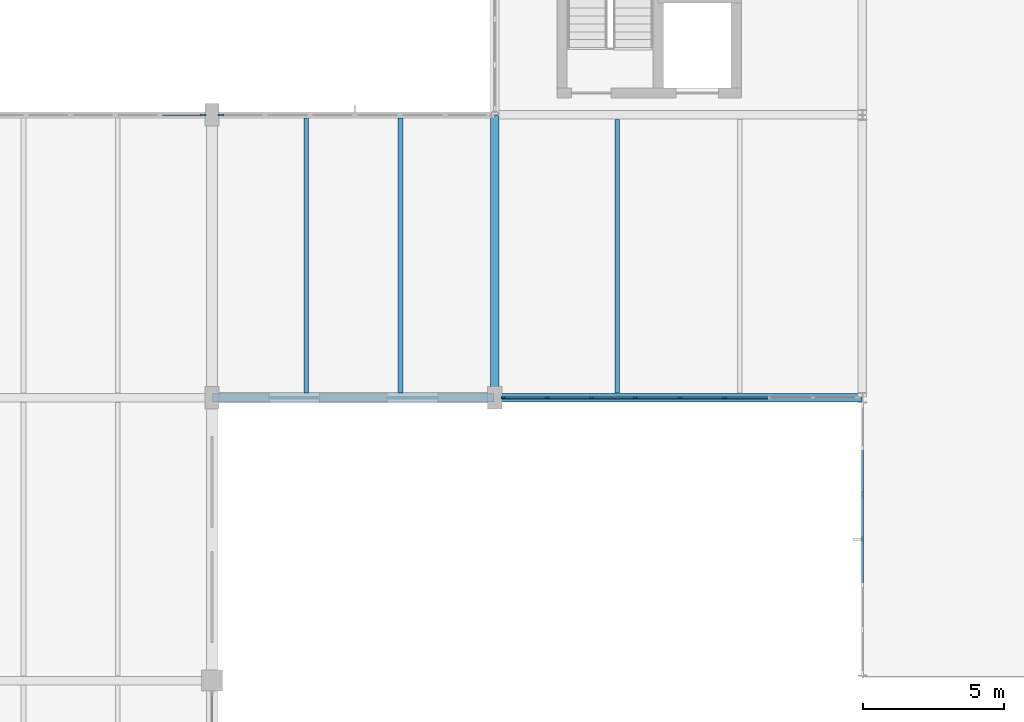
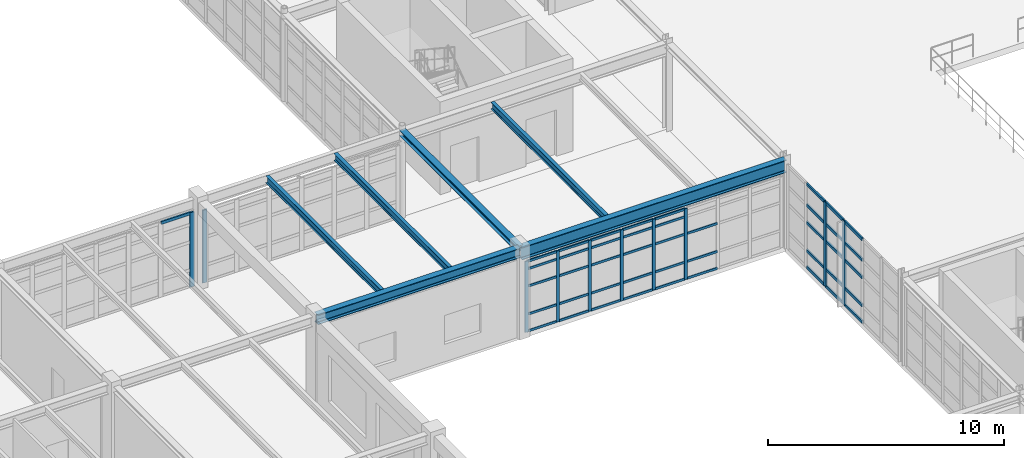
# One storey, part 47 of 139: 54 members, 6 beams, 4 elements without a shape of their own.
"""IFC4 building model written with IfcOpenShell, lengths in metres."""

from ifc_helpers import new_model, si_unit, direction, frame, origin, origin_2d, place, context, subcontext, project, spatial, rectangle, i_section, extrude, material, layer, layer_set, material_profile, profile_set, type_object, element, aggregate, save


model = new_model("IFC4")

# Units and contexts
model_context = context("Model", 3, precision=1e-05, world=origin(), true_north=direction((0.0, 1.0)))
body_context = subcontext(model_context, "Body", "Model", "MODEL_VIEW")
ifc_project = project(units=[si_unit("LENGTHUNIT", "METRE"), si_unit("AREAUNIT", "SQUARE_METRE"), si_unit("VOLUMEUNIT", "CUBIC_METRE"), si_unit("PLANEANGLEUNIT", "RADIAN"), si_unit("MASSUNIT", "GRAM", prefix="KILO"), si_unit("THERMODYNAMICTEMPERATUREUNIT", "KELVIN"), si_unit("POWERUNIT", "WATT")], contexts=[model_context])

# Site, building, storey
site_placement = place(None, origin())
site = spatial("IfcSite", under=ifc_project, at=site_placement, CompositionType="ELEMENT")
building_placement = place(site_placement, origin())
building = spatial("IfcBuilding", under=site, at=building_placement, Name="Korenveer Ferry Terminal", CompositionType="ELEMENT")
storey_placement = place(building_placement, frame((0.0, 0.0, 5.39990234375)))
storey = spatial("IfcBuildingStorey", under=building, at=storey_placement, Name="L01", CompositionType="ELEMENT", Elevation=5.39990234375)

# Curtain wall, members
ifc_material_1 = material(Name="Unitised bronze-and-glass curtain wall", Category="glass")
ifc_layer_1 = layer(ifc_material_1, 0.159912109375)
ifc_layer_set_1 = layer_set([ifc_layer_1], Name="Unitised bronze-and-glass curtain wall")
curtain_wall_type_1 = type_object("IfcCurtainWallType", Name="ENV-CW-46", PredefinedType="USERDEFINED", material=ifc_layer_set_1)
curtain_wall_1_placement = place(storey_placement, frame((40.280029296875, 70.0, 0.0)))
curtain_wall_1 = element("IfcCurtainWall", 1, at=curtain_wall_1_placement, inside=storey, type_object=curtain_wall_type_1, Name="Lancet curtain wall CWX-L01-X40-53-Y70-70", ObjectType="UNITISED CURTAIN WALL", PredefinedType="USERDEFINED")
ifc_material_2 = material(Name="Anodised bronze aluminium", Category="aluminium")
ifc_material_profile_1 = material_profile(ifc_material_2, rectangle(XDim=0.06005859375, YDim=0.159912109375, at=origin_2d()), Name="ALU 60x160")
ifc_profile_set_1 = profile_set([ifc_material_profile_1], Name="Anodised bronze aluminium")
member_type_1 = type_object("IfcMemberType", Name="ENV-CWM-60X160", PredefinedType="MULLION", material=ifc_profile_set_1)
member_1_placement = place(storey_placement, frame((40.31005859375, 70.0, 0.0), z_axis=(0.0, 0.0, 1.0), x_axis=(0.0, 1.0, 0.0)))
member_1 = element("IfcMember", 2, at=member_1_placement, type_object=member_type_1, Name="CW-46 mullion 1", PredefinedType="MULLION", context=body_context, shape_type="SweptSolid", body=[
    extrude(rectangle(XDim=0.06005859375, YDim=0.159912109375, at=origin_2d()), origin(), (0.0, 0.0, 1.0), 3.670166015625),
])
member_2_placement = place(storey_placement, frame((41.847412109375, 70.0, 0.0), z_axis=(0.0, 0.0, 1.0), x_axis=(0.0, 1.0, 0.0)))
member_2 = element("IfcMember", 3, at=member_2_placement, type_object=member_type_1, Name="CW-46 mullion 2", PredefinedType="MULLION", context=body_context, shape_type="SweptSolid", body=[
    extrude(rectangle(XDim=0.06005859375, YDim=0.159912109375, at=origin_2d()), origin(), (0.0, 0.0, 1.0), 3.670166015625),
])
member_3_placement = place(storey_placement, frame((43.4150390625, 70.0, 0.0), z_axis=(0.0, 0.0, 1.0), x_axis=(0.0, 1.0, 0.0)))
member_3 = element("IfcMember", 4, at=member_3_placement, type_object=member_type_1, Name="CW-46 mullion 3", PredefinedType="MULLION", context=body_context, shape_type="SweptSolid", body=[
    extrude(rectangle(XDim=0.06005859375, YDim=0.159912109375, at=origin_2d()), origin(), (0.0, 0.0, 1.0), 3.670166015625),
])
member_4_placement = place(storey_placement, frame((44.982421875, 70.0, 0.0), z_axis=(0.0, 0.0, 1.0), x_axis=(0.0, 1.0, 0.0)))
member_4 = element("IfcMember", 5, at=member_4_placement, type_object=member_type_1, Name="CW-46 mullion 4", PredefinedType="MULLION", context=body_context, shape_type="SweptSolid", body=[
    extrude(rectangle(XDim=0.06005859375, YDim=0.159912109375, at=origin_2d()), origin(), (0.0, 0.0, 1.0), 3.670166015625),
])
member_5_placement = place(storey_placement, frame((46.550048828125, 70.0, 0.0), z_axis=(0.0, 0.0, 1.0), x_axis=(0.0, 1.0, 0.0)))
member_5 = element("IfcMember", 6, at=member_5_placement, type_object=member_type_1, Name="CW-46 mullion 5", PredefinedType="MULLION", context=body_context, shape_type="SweptSolid", body=[
    extrude(rectangle(XDim=0.06005859375, YDim=0.159912109375, at=origin_2d()), origin(), (0.0, 0.0, 1.0), 3.670166015625),
])
member_6_placement = place(storey_placement, frame((48.117431640625, 70.0, 0.0), z_axis=(0.0, 0.0, 1.0), x_axis=(0.0, 1.0, 0.0)))
member_6 = element("IfcMember", 7, at=member_6_placement, type_object=member_type_1, Name="CW-46 mullion 6", PredefinedType="MULLION", context=body_context, shape_type="SweptSolid", body=[
    extrude(rectangle(XDim=0.06005859375, YDim=0.159912109375, at=origin_2d()), origin(), (0.0, 0.0, 1.0), 3.670166015625),
])

# Curtain wall, member
ifc_layer_2 = layer(ifc_material_1, 0.219970703125)
ifc_layer_set_2 = layer_set([ifc_layer_2], Name="Unitised bronze-and-glass curtain wall")
curtain_wall_type_2 = type_object("IfcCurtainWallType", Name="ENV-CW-50", PredefinedType="USERDEFINED", material=ifc_layer_set_2)
curtain_wall_2_placement = place(storey_placement, frame((20.280029296875, 80.0, 0.0)))
curtain_wall_2 = element("IfcCurtainWall", 8, at=curtain_wall_2_placement, inside=storey, type_object=curtain_wall_type_2, Name="Lancet curtain wall CWX-L01-X20-30-Y80-80", ObjectType="UNITISED CURTAIN WALL", PredefinedType="USERDEFINED")
ifc_material_profile_2 = material_profile(ifc_material_2, rectangle(XDim=0.074951171875, YDim=0.219970703125, at=origin_2d()), Name="ALU 75x220")
ifc_profile_set_2 = profile_set([ifc_material_profile_2], Name="Anodised bronze aluminium")
member_type_2 = type_object("IfcMemberType", Name="ENV-CWM-75X220", PredefinedType="MULLION", material=ifc_profile_set_2)
member_7_placement = place(storey_placement, frame((29.6826171875, 80.0, 0.0), z_axis=(0.0, 0.0, 1.0), x_axis=(0.0, 1.0, 0.0)))
member_7 = element("IfcMember", 9, at=member_7_placement, type_object=member_type_2, Name="CW-50 mullion 7", PredefinedType="MULLION", context=body_context, shape_type="SweptSolid", body=[
    extrude(rectangle(XDim=0.074951171875, YDim=0.219970703125, at=origin_2d()), origin(), (0.0, 0.0, 1.0), 3.8701171875),
])

ifc_layer_3 = layer(ifc_material_1, 0.219970703125)
ifc_layer_set_3 = layer_set([ifc_layer_3], Name="Unitised bronze-and-glass curtain wall")
curtain_wall_type_3 = type_object("IfcCurtainWallType", Name="ENV-CW-51", PredefinedType="USERDEFINED", material=ifc_layer_set_3)
curtain_wall_3_placement = place(storey_placement, frame((30.280029296875, 80.0, 0.0)))
curtain_wall_3 = element("IfcCurtainWall", 10, at=curtain_wall_3_placement, inside=storey, type_object=curtain_wall_type_3, Name="Lancet curtain wall CWX-L01-X30-40-Y80-80", ObjectType="UNITISED CURTAIN WALL", PredefinedType="USERDEFINED")
member_8_placement = place(storey_placement, frame((30.3173828125, 80.0, 0.0), z_axis=(0.0, 0.0, 1.0), x_axis=(0.0, 1.0, 0.0)))
member_8 = element("IfcMember", 11, at=member_8_placement, type_object=member_type_2, Name="CW-51 mullion 1", PredefinedType="MULLION", context=body_context, shape_type="SweptSolid", body=[
    extrude(rectangle(XDim=0.074951171875, YDim=0.219970703125, at=origin_2d()), origin(), (0.0, 0.0, 1.0), 3.77001953125),
])
aggregate(curtain_wall_3, [member_8])

# Curtain wall, members
ifc_layer_4 = layer(ifc_material_1, 0.219970703125)
ifc_layer_set_4 = layer_set([ifc_layer_4], Name="Unitised bronze-and-glass curtain wall")
curtain_wall_type_4 = type_object("IfcCurtainWallType", Name="ENV-CW-69", PredefinedType="USERDEFINED", material=ifc_layer_set_4)
curtain_wall_4_placement = place(storey_placement, frame((53.0, 60.2099609375, 0.0)))
curtain_wall_4 = element("IfcCurtainWall", 12, at=curtain_wall_4_placement, inside=storey, type_object=curtain_wall_type_4, Name="Lancet curtain wall CWX-L01-X53-53-Y60-70", ObjectType="UNITISED CURTAIN WALL", PredefinedType="USERDEFINED")
member_9_placement = place(storey_placement, frame((53.0, 65.0, 0.0), z_axis=(0.0, 0.0, 1.0), x_axis=(-1.0, 0.0, 0.0)))
member_9 = element("IfcMember", 13, at=member_9_placement, type_object=member_type_2, Name="CW-69 mullion 4", PredefinedType="MULLION", context=body_context, shape_type="SweptSolid", body=[
    extrude(rectangle(XDim=0.074951171875, YDim=0.219970703125, at=origin_2d()), origin(), (0.0, 0.0, 1.0), 4.360107421875),
])
member_10_placement = place(storey_placement, frame((53.0, 66.5966796875, 0.0), z_axis=(0.0, 0.0, 1.0), x_axis=(-1.0, 0.0, 0.0)))
member_10 = element("IfcMember", 14, at=member_10_placement, type_object=member_type_2, Name="CW-69 mullion 5", PredefinedType="MULLION", context=body_context, shape_type="SweptSolid", body=[
    extrude(rectangle(XDim=0.074951171875, YDim=0.219970703125, at=origin_2d()), origin(), (0.0, 0.0, 1.0), 4.360107421875),
])

# Member
ifc_material_profile_3 = material_profile(ifc_material_2, rectangle(XDim=0.06005859375, YDim=0.1201171875, at=origin_2d()), Name="ALU 60x120")
ifc_profile_set_3 = profile_set([ifc_material_profile_3], Name="Anodised bronze aluminium")
member_type_3 = type_object("IfcMemberType", Name="ENV-CWT-60X120", PredefinedType="USERDEFINED", material=ifc_profile_set_3)
member_11_placement = place(storey_placement, frame((40.340087890625, 70.0, 0.030029296875), z_axis=(1.0, 0.0, 0.0), x_axis=(0.0, 1.0, 0.0)))
member_11 = element("IfcMember", 15, at=member_11_placement, type_object=member_type_3, Name="CW-46 transom 1.1", ObjectType="TRANSOM", PredefinedType="USERDEFINED", context=body_context, shape_type="SweptSolid", body=[
    extrude(rectangle(XDim=0.06005859375, YDim=0.1201171875, at=origin_2d()), origin(), (0.0, 0.0, 1.0), 1.477294921875),
])

member_12_placement = place(storey_placement, frame((40.340087890625, 70.0, 0.900146484375), z_axis=(1.0, 0.0, 0.0), x_axis=(0.0, 1.0, 0.0)))
member_12 = element("IfcMember", 16, at=member_12_placement, type_object=member_type_3, Name="CW-46 transom 1.2", ObjectType="TRANSOM", PredefinedType="USERDEFINED", context=body_context, shape_type="SweptSolid", body=[
    extrude(rectangle(XDim=0.06005859375, YDim=0.1201171875, at=origin_2d()), origin(), (0.0, 0.0, 1.0), 1.477294921875),
])

member_13_placement = place(storey_placement, frame((40.340087890625, 70.0, 2.35009765625), z_axis=(1.0, 0.0, 0.0), x_axis=(0.0, 1.0, 0.0)))
member_13 = element("IfcMember", 17, at=member_13_placement, type_object=member_type_3, Name="CW-46 transom 1.3", ObjectType="TRANSOM", PredefinedType="USERDEFINED", context=body_context, shape_type="SweptSolid", body=[
    extrude(rectangle(XDim=0.06005859375, YDim=0.1201171875, at=origin_2d()), origin(), (0.0, 0.0, 1.0), 1.477294921875),
])

member_14_placement = place(storey_placement, frame((40.340087890625, 70.0, 3.25), z_axis=(1.0, 0.0, 0.0), x_axis=(0.0, 1.0, 0.0)))
member_14 = element("IfcMember", 18, at=member_14_placement, type_object=member_type_3, Name="CW-46 transom 1.4", ObjectType="TRANSOM", PredefinedType="USERDEFINED", context=body_context, shape_type="SweptSolid", body=[
    extrude(rectangle(XDim=0.06005859375, YDim=0.1201171875, at=origin_2d()), origin(), (0.0, 0.0, 1.0), 1.477294921875),
])

member_15_placement = place(storey_placement, frame((40.340087890625, 70.0, 3.64013671875), z_axis=(1.0, 0.0, 0.0), x_axis=(0.0, 1.0, 0.0)))
member_15 = element("IfcMember", 19, at=member_15_placement, type_object=member_type_3, Name="CW-46 transom 1.5", ObjectType="TRANSOM", PredefinedType="USERDEFINED", context=body_context, shape_type="SweptSolid", body=[
    extrude(rectangle(XDim=0.06005859375, YDim=0.1201171875, at=origin_2d()), origin(), (0.0, 0.0, 1.0), 1.477294921875),
])

member_16_placement = place(storey_placement, frame((41.87744140625, 70.0, 0.030029296875), z_axis=(1.0, 0.0, 0.0), x_axis=(0.0, 1.0, 0.0)))
member_16 = element("IfcMember", 20, at=member_16_placement, type_object=member_type_3, Name="CW-46 transom 2.1", ObjectType="TRANSOM", PredefinedType="USERDEFINED", context=body_context, shape_type="SweptSolid", body=[
    extrude(rectangle(XDim=0.06005859375, YDim=0.1201171875, at=origin_2d()), origin(), (0.0, 0.0, 1.0), 1.507568359375),
])

member_17_placement = place(storey_placement, frame((41.87744140625, 70.0, 0.900146484375), z_axis=(1.0, 0.0, 0.0), x_axis=(0.0, 1.0, 0.0)))
member_17 = element("IfcMember", 21, at=member_17_placement, type_object=member_type_3, Name="CW-46 transom 2.2", ObjectType="TRANSOM", PredefinedType="USERDEFINED", context=body_context, shape_type="SweptSolid", body=[
    extrude(rectangle(XDim=0.06005859375, YDim=0.1201171875, at=origin_2d()), origin(), (0.0, 0.0, 1.0), 1.507568359375),
])

member_18_placement = place(storey_placement, frame((41.87744140625, 70.0, 2.35009765625), z_axis=(1.0, 0.0, 0.0), x_axis=(0.0, 1.0, 0.0)))
member_18 = element("IfcMember", 22, at=member_18_placement, type_object=member_type_3, Name="CW-46 transom 2.3", ObjectType="TRANSOM", PredefinedType="USERDEFINED", context=body_context, shape_type="SweptSolid", body=[
    extrude(rectangle(XDim=0.06005859375, YDim=0.1201171875, at=origin_2d()), origin(), (0.0, 0.0, 1.0), 1.507568359375),
])

member_19_placement = place(storey_placement, frame((41.87744140625, 70.0, 3.25), z_axis=(1.0, 0.0, 0.0), x_axis=(0.0, 1.0, 0.0)))
member_19 = element("IfcMember", 23, at=member_19_placement, type_object=member_type_3, Name="CW-46 transom 2.4", ObjectType="TRANSOM", PredefinedType="USERDEFINED", context=body_context, shape_type="SweptSolid", body=[
    extrude(rectangle(XDim=0.06005859375, YDim=0.1201171875, at=origin_2d()), origin(), (0.0, 0.0, 1.0), 1.507568359375),
])

member_20_placement = place(storey_placement, frame((41.87744140625, 70.0, 3.64013671875), z_axis=(1.0, 0.0, 0.0), x_axis=(0.0, 1.0, 0.0)))
member_20 = element("IfcMember", 24, at=member_20_placement, type_object=member_type_3, Name="CW-46 transom 2.5", ObjectType="TRANSOM", PredefinedType="USERDEFINED", context=body_context, shape_type="SweptSolid", body=[
    extrude(rectangle(XDim=0.06005859375, YDim=0.1201171875, at=origin_2d()), origin(), (0.0, 0.0, 1.0), 1.507568359375),
])

member_21_placement = place(storey_placement, frame((43.445068359375, 70.0, 0.030029296875), z_axis=(1.0, 0.0, 0.0), x_axis=(0.0, 1.0, 0.0)))
member_21 = element("IfcMember", 25, at=member_21_placement, type_object=member_type_3, Name="CW-46 transom 3.1", ObjectType="TRANSOM", PredefinedType="USERDEFINED", context=body_context, shape_type="SweptSolid", body=[
    extrude(rectangle(XDim=0.06005859375, YDim=0.1201171875, at=origin_2d()), origin(), (0.0, 0.0, 1.0), 1.50732421875),
])

member_22_placement = place(storey_placement, frame((43.445068359375, 70.0, 0.900146484375), z_axis=(1.0, 0.0, 0.0), x_axis=(0.0, 1.0, 0.0)))
member_22 = element("IfcMember", 26, at=member_22_placement, type_object=member_type_3, Name="CW-46 transom 3.2", ObjectType="TRANSOM", PredefinedType="USERDEFINED", context=body_context, shape_type="SweptSolid", body=[
    extrude(rectangle(XDim=0.06005859375, YDim=0.1201171875, at=origin_2d()), origin(), (0.0, 0.0, 1.0), 1.50732421875),
])

member_23_placement = place(storey_placement, frame((43.445068359375, 70.0, 2.35009765625), z_axis=(1.0, 0.0, 0.0), x_axis=(0.0, 1.0, 0.0)))
member_23 = element("IfcMember", 27, at=member_23_placement, type_object=member_type_3, Name="CW-46 transom 3.3", ObjectType="TRANSOM", PredefinedType="USERDEFINED", context=body_context, shape_type="SweptSolid", body=[
    extrude(rectangle(XDim=0.06005859375, YDim=0.1201171875, at=origin_2d()), origin(), (0.0, 0.0, 1.0), 1.50732421875),
])

member_24_placement = place(storey_placement, frame((43.445068359375, 70.0, 3.25), z_axis=(1.0, 0.0, 0.0), x_axis=(0.0, 1.0, 0.0)))
member_24 = element("IfcMember", 28, at=member_24_placement, type_object=member_type_3, Name="CW-46 transom 3.4", ObjectType="TRANSOM", PredefinedType="USERDEFINED", context=body_context, shape_type="SweptSolid", body=[
    extrude(rectangle(XDim=0.06005859375, YDim=0.1201171875, at=origin_2d()), origin(), (0.0, 0.0, 1.0), 1.50732421875),
])

member_25_placement = place(storey_placement, frame((43.445068359375, 70.0, 3.64013671875), z_axis=(1.0, 0.0, 0.0), x_axis=(0.0, 1.0, 0.0)))
member_25 = element("IfcMember", 29, at=member_25_placement, type_object=member_type_3, Name="CW-46 transom 3.5", ObjectType="TRANSOM", PredefinedType="USERDEFINED", context=body_context, shape_type="SweptSolid", body=[
    extrude(rectangle(XDim=0.06005859375, YDim=0.1201171875, at=origin_2d()), origin(), (0.0, 0.0, 1.0), 1.50732421875),
])

member_26_placement = place(storey_placement, frame((45.012451171875, 70.0, 0.030029296875), z_axis=(1.0, 0.0, 0.0), x_axis=(0.0, 1.0, 0.0)))
member_26 = element("IfcMember", 30, at=member_26_placement, type_object=member_type_3, Name="CW-46 transom 4.1", ObjectType="TRANSOM", PredefinedType="USERDEFINED", context=body_context, shape_type="SweptSolid", body=[
    extrude(rectangle(XDim=0.06005859375, YDim=0.1201171875, at=origin_2d()), origin(), (0.0, 0.0, 1.0), 1.507568359375),
])

member_27_placement = place(storey_placement, frame((45.012451171875, 70.0, 0.900146484375), z_axis=(1.0, 0.0, 0.0), x_axis=(0.0, 1.0, 0.0)))
member_27 = element("IfcMember", 31, at=member_27_placement, type_object=member_type_3, Name="CW-46 transom 4.2", ObjectType="TRANSOM", PredefinedType="USERDEFINED", context=body_context, shape_type="SweptSolid", body=[
    extrude(rectangle(XDim=0.06005859375, YDim=0.1201171875, at=origin_2d()), origin(), (0.0, 0.0, 1.0), 1.507568359375),
])

member_28_placement = place(storey_placement, frame((45.012451171875, 70.0, 2.35009765625), z_axis=(1.0, 0.0, 0.0), x_axis=(0.0, 1.0, 0.0)))
member_28 = element("IfcMember", 32, at=member_28_placement, type_object=member_type_3, Name="CW-46 transom 4.3", ObjectType="TRANSOM", PredefinedType="USERDEFINED", context=body_context, shape_type="SweptSolid", body=[
    extrude(rectangle(XDim=0.06005859375, YDim=0.1201171875, at=origin_2d()), origin(), (0.0, 0.0, 1.0), 1.507568359375),
])

member_29_placement = place(storey_placement, frame((45.012451171875, 70.0, 3.25), z_axis=(1.0, 0.0, 0.0), x_axis=(0.0, 1.0, 0.0)))
member_29 = element("IfcMember", 33, at=member_29_placement, type_object=member_type_3, Name="CW-46 transom 4.4", ObjectType="TRANSOM", PredefinedType="USERDEFINED", context=body_context, shape_type="SweptSolid", body=[
    extrude(rectangle(XDim=0.06005859375, YDim=0.1201171875, at=origin_2d()), origin(), (0.0, 0.0, 1.0), 1.507568359375),
])

member_30_placement = place(storey_placement, frame((45.012451171875, 70.0, 3.64013671875), z_axis=(1.0, 0.0, 0.0), x_axis=(0.0, 1.0, 0.0)))
member_30 = element("IfcMember", 34, at=member_30_placement, type_object=member_type_3, Name="CW-46 transom 4.5", ObjectType="TRANSOM", PredefinedType="USERDEFINED", context=body_context, shape_type="SweptSolid", body=[
    extrude(rectangle(XDim=0.06005859375, YDim=0.1201171875, at=origin_2d()), origin(), (0.0, 0.0, 1.0), 1.507568359375),
])

member_31_placement = place(storey_placement, frame((46.580078125, 70.0, 0.030029296875), z_axis=(1.0, 0.0, 0.0), x_axis=(0.0, 1.0, 0.0)))
member_31 = element("IfcMember", 35, at=member_31_placement, type_object=member_type_3, Name="CW-46 transom 5.1", ObjectType="TRANSOM", PredefinedType="USERDEFINED", context=body_context, shape_type="SweptSolid", body=[
    extrude(rectangle(XDim=0.06005859375, YDim=0.1201171875, at=origin_2d()), origin(), (0.0, 0.0, 1.0), 1.50732421875),
])

member_32_placement = place(storey_placement, frame((46.580078125, 70.0, 0.900146484375), z_axis=(1.0, 0.0, 0.0), x_axis=(0.0, 1.0, 0.0)))
member_32 = element("IfcMember", 36, at=member_32_placement, type_object=member_type_3, Name="CW-46 transom 5.2", ObjectType="TRANSOM", PredefinedType="USERDEFINED", context=body_context, shape_type="SweptSolid", body=[
    extrude(rectangle(XDim=0.06005859375, YDim=0.1201171875, at=origin_2d()), origin(), (0.0, 0.0, 1.0), 1.50732421875),
])

member_33_placement = place(storey_placement, frame((46.580078125, 70.0, 2.35009765625), z_axis=(1.0, 0.0, 0.0), x_axis=(0.0, 1.0, 0.0)))
member_33 = element("IfcMember", 37, at=member_33_placement, type_object=member_type_3, Name="CW-46 transom 5.3", ObjectType="TRANSOM", PredefinedType="USERDEFINED", context=body_context, shape_type="SweptSolid", body=[
    extrude(rectangle(XDim=0.06005859375, YDim=0.1201171875, at=origin_2d()), origin(), (0.0, 0.0, 1.0), 1.50732421875),
])

member_34_placement = place(storey_placement, frame((46.580078125, 70.0, 3.25), z_axis=(1.0, 0.0, 0.0), x_axis=(0.0, 1.0, 0.0)))
member_34 = element("IfcMember", 38, at=member_34_placement, type_object=member_type_3, Name="CW-46 transom 5.4", ObjectType="TRANSOM", PredefinedType="USERDEFINED", context=body_context, shape_type="SweptSolid", body=[
    extrude(rectangle(XDim=0.06005859375, YDim=0.1201171875, at=origin_2d()), origin(), (0.0, 0.0, 1.0), 1.50732421875),
])

member_35_placement = place(storey_placement, frame((46.580078125, 70.0, 3.64013671875), z_axis=(1.0, 0.0, 0.0), x_axis=(0.0, 1.0, 0.0)))
member_35 = element("IfcMember", 39, at=member_35_placement, type_object=member_type_3, Name="CW-46 transom 5.5", ObjectType="TRANSOM", PredefinedType="USERDEFINED", context=body_context, shape_type="SweptSolid", body=[
    extrude(rectangle(XDim=0.06005859375, YDim=0.1201171875, at=origin_2d()), origin(), (0.0, 0.0, 1.0), 1.50732421875),
])

member_36_placement = place(storey_placement, frame((48.1474609375, 70.0, 0.030029296875), z_axis=(1.0, 0.0, 0.0), x_axis=(0.0, 1.0, 0.0)))
member_36 = element("IfcMember", 40, at=member_36_placement, type_object=member_type_3, Name="CW-46 transom 6.1", ObjectType="TRANSOM", PredefinedType="USERDEFINED", context=body_context, shape_type="SweptSolid", body=[
    extrude(rectangle(XDim=0.06005859375, YDim=0.1201171875, at=origin_2d()), origin(), (0.0, 0.0, 1.0), 1.507568359375),
])

member_37_placement = place(storey_placement, frame((48.1474609375, 70.0, 0.900146484375), z_axis=(1.0, 0.0, 0.0), x_axis=(0.0, 1.0, 0.0)))
member_37 = element("IfcMember", 41, at=member_37_placement, type_object=member_type_3, Name="CW-46 transom 6.2", ObjectType="TRANSOM", PredefinedType="USERDEFINED", context=body_context, shape_type="SweptSolid", body=[
    extrude(rectangle(XDim=0.06005859375, YDim=0.1201171875, at=origin_2d()), origin(), (0.0, 0.0, 1.0), 1.507568359375),
])

member_38_placement = place(storey_placement, frame((48.1474609375, 70.0, 2.35009765625), z_axis=(1.0, 0.0, 0.0), x_axis=(0.0, 1.0, 0.0)))
member_38 = element("IfcMember", 42, at=member_38_placement, type_object=member_type_3, Name="CW-46 transom 6.3", ObjectType="TRANSOM", PredefinedType="USERDEFINED", context=body_context, shape_type="SweptSolid", body=[
    extrude(rectangle(XDim=0.06005859375, YDim=0.1201171875, at=origin_2d()), origin(), (0.0, 0.0, 1.0), 1.507568359375),
])

aggregate(curtain_wall_1, [member_1, member_2, member_3, member_4, member_5, member_6, member_11, member_12, member_13, member_14, member_15, member_16, member_17, member_18, member_19, member_20, member_21, member_22, member_23, member_24, member_25, member_26, member_27, member_28, member_29, member_30, member_31, member_32, member_33, member_34, member_35, member_36, member_37, member_38])

ifc_material_profile_4 = material_profile(ifc_material_2, rectangle(XDim=0.074951171875, YDim=0.14990234375, at=origin_2d()), Name="ALU 75x150")
ifc_profile_set_4 = profile_set([ifc_material_profile_4], Name="Anodised bronze aluminium")
member_type_4 = type_object("IfcMemberType", Name="ENV-CWT-75X150", PredefinedType="USERDEFINED", material=ifc_profile_set_4)
member_39_placement = place(storey_placement, frame((28.18408203125, 80.0, 3.83251953125), z_axis=(1.0, 0.0, 0.0), x_axis=(0.0, 1.0, 0.0)))
member_39 = element("IfcMember", 43, at=member_39_placement, type_object=member_type_4, Name="CW-50 transom 6.5", ObjectType="TRANSOM", PredefinedType="USERDEFINED", context=body_context, shape_type="SweptSolid", body=[
    extrude(rectangle(XDim=0.074951171875, YDim=0.14990234375, at=origin_2d()), origin(), (0.0, 0.0, 1.0), 1.4609375),
])

aggregate(curtain_wall_2, [member_7, member_39])

member_40_placement = place(storey_placement, frame((53.0, 63.44091796875, 0.03759765625), z_axis=(0.0, 1.0, 0.0), x_axis=(-1.0, 0.0, 0.0)))
member_40 = element("IfcMember", 44, at=member_40_placement, type_object=member_type_4, Name="CW-69 transom 3.1", ObjectType="TRANSOM", PredefinedType="USERDEFINED", context=body_context, shape_type="SweptSolid", body=[
    extrude(rectangle(XDim=0.074951171875, YDim=0.14990234375, at=origin_2d()), origin(), (0.0, 0.0, 1.0), 1.521484375),
])

member_41_placement = place(storey_placement, frame((53.0, 63.44091796875, 0.900146484375), z_axis=(0.0, 1.0, 0.0), x_axis=(-1.0, 0.0, 0.0)))
member_41 = element("IfcMember", 45, at=member_41_placement, type_object=member_type_4, Name="CW-69 transom 3.2", ObjectType="TRANSOM", PredefinedType="USERDEFINED", context=body_context, shape_type="SweptSolid", body=[
    extrude(rectangle(XDim=0.074951171875, YDim=0.14990234375, at=origin_2d()), origin(), (0.0, 0.0, 1.0), 1.521484375),
])

member_42_placement = place(storey_placement, frame((53.0, 63.44091796875, 2.35009765625), z_axis=(0.0, 1.0, 0.0), x_axis=(-1.0, 0.0, 0.0)))
member_42 = element("IfcMember", 46, at=member_42_placement, type_object=member_type_4, Name="CW-69 transom 3.3", ObjectType="TRANSOM", PredefinedType="USERDEFINED", context=body_context, shape_type="SweptSolid", body=[
    extrude(rectangle(XDim=0.074951171875, YDim=0.14990234375, at=origin_2d()), origin(), (0.0, 0.0, 1.0), 1.521484375),
])

member_43_placement = place(storey_placement, frame((53.0, 63.44091796875, 3.25), z_axis=(0.0, 1.0, 0.0), x_axis=(-1.0, 0.0, 0.0)))
member_43 = element("IfcMember", 47, at=member_43_placement, type_object=member_type_4, Name="CW-69 transom 3.4", ObjectType="TRANSOM", PredefinedType="USERDEFINED", context=body_context, shape_type="SweptSolid", body=[
    extrude(rectangle(XDim=0.074951171875, YDim=0.14990234375, at=origin_2d()), origin(), (0.0, 0.0, 1.0), 1.521484375),
])

member_44_placement = place(storey_placement, frame((53.0, 63.44091796875, 4.322509765625), z_axis=(0.0, 1.0, 0.0), x_axis=(-1.0, 0.0, 0.0)))
member_44 = element("IfcMember", 48, at=member_44_placement, type_object=member_type_4, Name="CW-69 transom 3.5", ObjectType="TRANSOM", PredefinedType="USERDEFINED", context=body_context, shape_type="SweptSolid", body=[
    extrude(rectangle(XDim=0.074951171875, YDim=0.14990234375, at=origin_2d()), origin(), (0.0, 0.0, 1.0), 1.521484375),
])

member_45_placement = place(storey_placement, frame((53.0, 65.03759765625, 0.03759765625), z_axis=(0.0, 1.0, 0.0), x_axis=(-1.0, 0.0, 0.0)))
member_45 = element("IfcMember", 49, at=member_45_placement, type_object=member_type_4, Name="CW-69 transom 4.1", ObjectType="TRANSOM", PredefinedType="USERDEFINED", context=body_context, shape_type="SweptSolid", body=[
    extrude(rectangle(XDim=0.074951171875, YDim=0.14990234375, at=origin_2d()), origin(), (0.0, 0.0, 1.0), 1.521484375),
])

member_46_placement = place(storey_placement, frame((53.0, 65.03759765625, 0.900146484375), z_axis=(0.0, 1.0, 0.0), x_axis=(-1.0, 0.0, 0.0)))
member_46 = element("IfcMember", 50, at=member_46_placement, type_object=member_type_4, Name="CW-69 transom 4.2", ObjectType="TRANSOM", PredefinedType="USERDEFINED", context=body_context, shape_type="SweptSolid", body=[
    extrude(rectangle(XDim=0.074951171875, YDim=0.14990234375, at=origin_2d()), origin(), (0.0, 0.0, 1.0), 1.521484375),
])

member_47_placement = place(storey_placement, frame((53.0, 65.03759765625, 2.35009765625), z_axis=(0.0, 1.0, 0.0), x_axis=(-1.0, 0.0, 0.0)))
member_47 = element("IfcMember", 51, at=member_47_placement, type_object=member_type_4, Name="CW-69 transom 4.3", ObjectType="TRANSOM", PredefinedType="USERDEFINED", context=body_context, shape_type="SweptSolid", body=[
    extrude(rectangle(XDim=0.074951171875, YDim=0.14990234375, at=origin_2d()), origin(), (0.0, 0.0, 1.0), 1.521484375),
])

member_48_placement = place(storey_placement, frame((53.0, 65.03759765625, 3.25), z_axis=(0.0, 1.0, 0.0), x_axis=(-1.0, 0.0, 0.0)))
member_48 = element("IfcMember", 52, at=member_48_placement, type_object=member_type_4, Name="CW-69 transom 4.4", ObjectType="TRANSOM", PredefinedType="USERDEFINED", context=body_context, shape_type="SweptSolid", body=[
    extrude(rectangle(XDim=0.074951171875, YDim=0.14990234375, at=origin_2d()), origin(), (0.0, 0.0, 1.0), 1.521484375),
])

member_49_placement = place(storey_placement, frame((53.0, 65.03759765625, 4.322509765625), z_axis=(0.0, 1.0, 0.0), x_axis=(-1.0, 0.0, 0.0)))
member_49 = element("IfcMember", 53, at=member_49_placement, type_object=member_type_4, Name="CW-69 transom 4.5", ObjectType="TRANSOM", PredefinedType="USERDEFINED", context=body_context, shape_type="SweptSolid", body=[
    extrude(rectangle(XDim=0.074951171875, YDim=0.14990234375, at=origin_2d()), origin(), (0.0, 0.0, 1.0), 1.521484375),
])

member_50_placement = place(storey_placement, frame((53.0, 66.63427734375, 0.03759765625), z_axis=(0.0, 1.0, 0.0), x_axis=(-1.0, 0.0, 0.0)))
member_50 = element("IfcMember", 54, at=member_50_placement, type_object=member_type_4, Name="CW-69 transom 5.1", ObjectType="TRANSOM", PredefinedType="USERDEFINED", context=body_context, shape_type="SweptSolid", body=[
    extrude(rectangle(XDim=0.074951171875, YDim=0.14990234375, at=origin_2d()), origin(), (0.0, 0.0, 1.0), 1.521484375),
])

member_51_placement = place(storey_placement, frame((53.0, 66.63427734375, 0.900146484375), z_axis=(0.0, 1.0, 0.0), x_axis=(-1.0, 0.0, 0.0)))
member_51 = element("IfcMember", 55, at=member_51_placement, type_object=member_type_4, Name="CW-69 transom 5.2", ObjectType="TRANSOM", PredefinedType="USERDEFINED", context=body_context, shape_type="SweptSolid", body=[
    extrude(rectangle(XDim=0.074951171875, YDim=0.14990234375, at=origin_2d()), origin(), (0.0, 0.0, 1.0), 1.521484375),
])

member_52_placement = place(storey_placement, frame((53.0, 66.63427734375, 2.35009765625), z_axis=(0.0, 1.0, 0.0), x_axis=(-1.0, 0.0, 0.0)))
member_52 = element("IfcMember", 56, at=member_52_placement, type_object=member_type_4, Name="CW-69 transom 5.3", ObjectType="TRANSOM", PredefinedType="USERDEFINED", context=body_context, shape_type="SweptSolid", body=[
    extrude(rectangle(XDim=0.074951171875, YDim=0.14990234375, at=origin_2d()), origin(), (0.0, 0.0, 1.0), 1.521484375),
])

member_53_placement = place(storey_placement, frame((53.0, 66.63427734375, 3.25), z_axis=(0.0, 1.0, 0.0), x_axis=(-1.0, 0.0, 0.0)))
member_53 = element("IfcMember", 57, at=member_53_placement, type_object=member_type_4, Name="CW-69 transom 5.4", ObjectType="TRANSOM", PredefinedType="USERDEFINED", context=body_context, shape_type="SweptSolid", body=[
    extrude(rectangle(XDim=0.074951171875, YDim=0.14990234375, at=origin_2d()), origin(), (0.0, 0.0, 1.0), 1.521484375),
])

member_54_placement = place(storey_placement, frame((53.0, 66.63427734375, 4.322509765625), z_axis=(0.0, 1.0, 0.0), x_axis=(-1.0, 0.0, 0.0)))
member_54 = element("IfcMember", 58, at=member_54_placement, type_object=member_type_4, Name="CW-69 transom 5.5", ObjectType="TRANSOM", PredefinedType="USERDEFINED", context=body_context, shape_type="SweptSolid", body=[
    extrude(rectangle(XDim=0.074951171875, YDim=0.14990234375, at=origin_2d()), origin(), (0.0, 0.0, 1.0), 1.521484375),
])

aggregate(curtain_wall_4, [member_9, member_10, member_40, member_41, member_42, member_43, member_44, member_45, member_46, member_47, member_48, member_49, member_50, member_51, member_52, member_53, member_54])

# Beams
ifc_material_3 = material(Name="Steel S355", Category="steel")
ifc_material_profile_5 = material_profile(ifc_material_3, i_section(OverallWidth=0.300048828125, OverallDepth=0.2900390625, WebThickness=0.008544921875, FlangeThickness=0.013916015625, FilletRadius=0.027099609375, at=origin_2d()), Name="HEA 300")
ifc_profile_set_5 = profile_set([ifc_material_profile_5], Name="Steel S355")
beam_type_1 = type_object("IfcBeamType", Name="STR-BM-HEA300", PredefinedType="BEAM", material=ifc_profile_set_5)
beam_1_placement = place(storey_placement, frame((40.0, 70.02001953125, 4.405029296875), z_axis=(0.0, 1.0, 0.0), x_axis=(-1.0, 0.0, 0.0)))
element("IfcBeam", 59, at=beam_1_placement, inside=storey, type_object=beam_type_1, Name="Primary Y girder BMY-L02-X40-Y70-80", PredefinedType="BEAM", context=body_context, shape_type="SweptSolid", body=[
    extrude(i_section(OverallWidth=0.300048828125, OverallDepth=0.2900390625, WebThickness=0.008544921875, FlangeThickness=0.013916015625, FilletRadius=0.027099609375, at=origin_2d()), origin(), (0.0, 0.0, 1.0), 9.9599609375),
])
ifc_material_profile_6 = material_profile(ifc_material_3, i_section(OverallWidth=0.300048828125, OverallDepth=0.5, WebThickness=0.014404296875, FlangeThickness=0.028076171875, FilletRadius=0.027099609375, at=origin_2d()), Name="HEB 500")
ifc_profile_set_6 = profile_set([ifc_material_profile_6], Name="Steel S355")
beam_type_2 = type_object("IfcBeamType", Name="STR-BM-HEB500", PredefinedType="BEAM", material=ifc_profile_set_6)
beam_2_placement = place(storey_placement, frame((30.02001953125, 70.0, 4.300048828125), z_axis=(1.0, 0.0, 0.0), x_axis=(0.0, 1.0, 0.0)))
element("IfcBeam", 60, at=beam_2_placement, inside=storey, type_object=beam_type_2, Name="Primary X girder BMX-L02-X30-40-Y70", PredefinedType="BEAM", context=body_context, shape_type="SweptSolid", body=[
    extrude(i_section(OverallWidth=0.300048828125, OverallDepth=0.5, WebThickness=0.014404296875, FlangeThickness=0.028076171875, FilletRadius=0.027099609375, at=origin_2d()), origin(), (0.0, 0.0, 1.0), 9.9599609375),
])
ifc_material_profile_7 = material_profile(ifc_material_3, i_section(OverallWidth=0.300048828125, OverallDepth=0.64990234375, WebThickness=0.01611328125, FlangeThickness=0.031005859375, FilletRadius=0.027099609375, at=origin_2d()), Name="HEB 650")
ifc_profile_set_7 = profile_set([ifc_material_profile_7], Name="Steel S355")
beam_type_3 = type_object("IfcBeamType", Name="STR-BM-HEB650", PredefinedType="BEAM", material=ifc_profile_set_7)
beam_3_placement = place(storey_placement, frame((40.02001953125, 70.0, 4.22509765625), z_axis=(1.0, 0.0, 0.0), x_axis=(0.0, 1.0, 0.0)))
element("IfcBeam", 61, at=beam_3_placement, inside=storey, type_object=beam_type_3, Name="Primary X girder BMX-L02-X40-53-Y70", PredefinedType="BEAM", context=body_context, shape_type="SweptSolid", body=[
    extrude(i_section(OverallWidth=0.300048828125, OverallDepth=0.64990234375, WebThickness=0.01611328125, FlangeThickness=0.031005859375, FilletRadius=0.027099609375, at=origin_2d()), origin(), (0.0, 0.0, 1.0), 12.9599609375),
])
ifc_material_profile_8 = material_profile(ifc_material_3, i_section(OverallWidth=0.169921875, OverallDepth=0.360107421875, WebThickness=0.008056640625, FlangeThickness=0.0126953125, FilletRadius=0.01806640625, at=origin_2d()), Name="IPE 360")
ifc_profile_set_8 = profile_set([ifc_material_profile_8], Name="Steel S355")
beam_type_4 = type_object("IfcBeamType", Name="STR-JST-IPE360", PredefinedType="JOIST", material=ifc_profile_set_8)
for number, where, z_axis, x_axis, name in (
    (62, (33.333251953125, 70.159912109375, 4.3701171875), (0.0, 1.0, 0.0), (-1.0, 0.0, 0.0), "Secondary composite joist JST-L02-X333-Y70-80"),
    (63, (36.666748046875, 70.159912109375, 4.3701171875), (0.0, 1.0, 0.0), (-1.0, 0.0, 0.0), "Secondary composite joist JST-L02-X367-Y70-80"),
):
    element("IfcBeam", number, at=place(storey_placement, frame(where, z_axis=z_axis, x_axis=x_axis)), inside=storey, type_object=beam_type_4, Name=name, PredefinedType="JOIST", context=body_context, shape_type="SweptSolid", body=[
        extrude(i_section(OverallWidth=0.169921875, OverallDepth=0.360107421875, WebThickness=0.008056640625, FlangeThickness=0.0126953125, FilletRadius=0.01806640625, at=origin_2d()), origin(), (0.0, 0.0, 1.0), 9.72509765625),
    ])
beam_4_placement = place(storey_placement, frame((44.333251953125, 70.159912109375, 4.3701171875), z_axis=(0.0, 1.0, 0.0), x_axis=(-1.0, 0.0, 0.0)))
element("IfcBeam", 64, at=beam_4_placement, inside=storey, type_object=beam_type_4, Name="Secondary composite joist JST-L02-X443-Y70-80", PredefinedType="JOIST", context=body_context, shape_type="SweptSolid", body=[
    extrude(i_section(OverallWidth=0.169921875, OverallDepth=0.360107421875, WebThickness=0.008056640625, FlangeThickness=0.0126953125, FilletRadius=0.01806640625, at=origin_2d()), origin(), (0.0, 0.0, 1.0), 9.68017578125),
])

save(model, "model.ifc")
